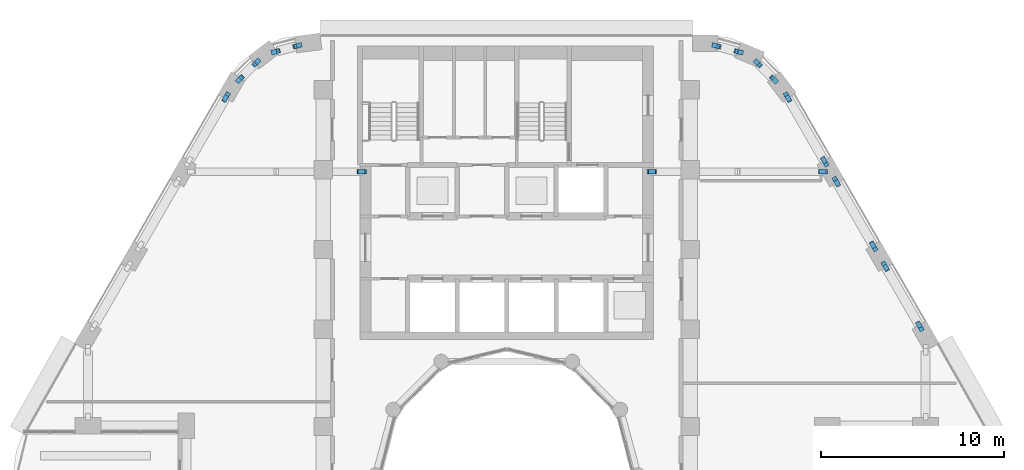
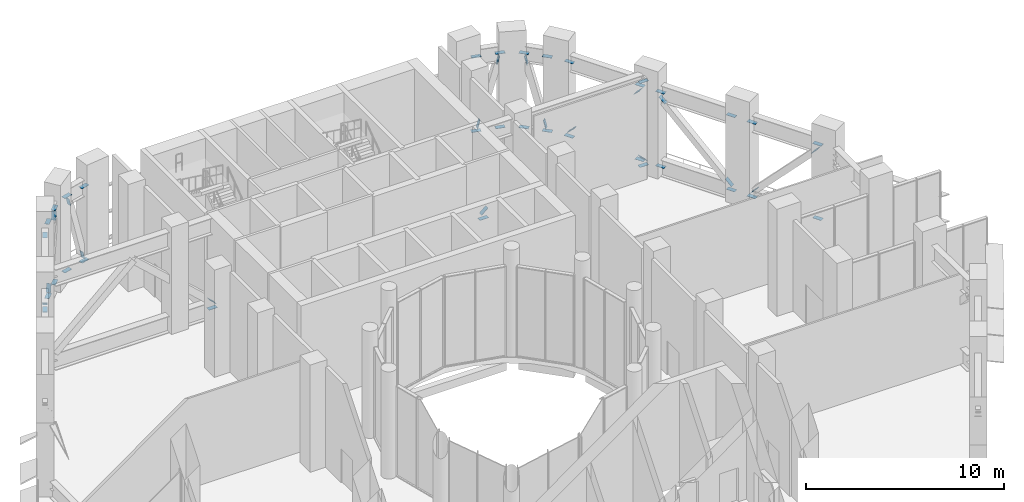
# One storey, part 15 of 21: 52 discrete accessories.
"""IFC4 building model written with IfcOpenShell, lengths in metres."""

from ifc_helpers import new_model, si_unit, direction, frame, origin, origin_2d, place, context, subcontext, project, spatial, rectangle, extrude, material, material_profile, profile_set, type_object, element, save


model = new_model("IFC4")

# Units and contexts
model_context = context("Model", 3, precision=1e-05, world=origin(), true_north=direction((0.0, 1.0)))
body_context = subcontext(model_context, "Body", "Model", "MODEL_VIEW")
ifc_project = project(units=[si_unit("LENGTHUNIT", "METRE"), si_unit("AREAUNIT", "SQUARE_METRE"), si_unit("VOLUMEUNIT", "CUBIC_METRE"), si_unit("PLANEANGLEUNIT", "RADIAN"), si_unit("MASSUNIT", "GRAM", prefix="KILO")], contexts=[model_context])

# Site, building, storey
site_placement = place(None, origin())
site = spatial("IfcSite", under=ifc_project, at=site_placement, CompositionType="ELEMENT")
building_placement = place(site_placement, origin())
building = spatial("IfcBuilding", under=site, at=building_placement, Name="Nakaniwa Court", CompositionType="ELEMENT")
storey_placement = place(building_placement, frame((0.0, 0.0, 120.60009765625)))
storey = spatial("IfcBuildingStorey", under=building, at=storey_placement, Name="S2", CompositionType="ELEMENT", Elevation=120.60009765625)

# Discrete accessories
ifc_material = material(Name="Steel Grade 350", Category="steel")
ifc_material_profile = material_profile(ifc_material, rectangle(XDim=0.25, YDim=0.02001953125, at=origin_2d()), Name="Truss end gusset plate 250x20")
ifc_profile_set = profile_set([ifc_material_profile], Name="Steel Grade 350")
discrete_accessory_type = type_object("IfcDiscreteAccessoryType", Name="Truss end gusset plate 250x20", PredefinedType="BRACKET", material=ifc_profile_set)
discrete_accessory_1_placement = place(storey_placement, frame((68.348388671875, 103.329833984375, 0.5048828125), z_axis=(0.966291673618, 0.25744980384, 0.0), x_axis=(-0.25744980384, 0.966291673618, 0.0)))
element("IfcDiscreteAccessory", 1, at=discrete_accessory_1_placement, inside=storey, type_object=discrete_accessory_type, Name="Gusset plate GU-196", PredefinedType="BRACKET", context=body_context, shape_type="SweptSolid", body=[
    extrude(rectangle(XDim=0.25, YDim=0.02001953125, at=origin_2d()), origin(), (0.0, 0.0, 1.0), 0.499755859375),
])
discrete_accessory_2_placement = place(storey_placement, frame((67.650146484375, 103.143798828125, 0.5048828125), z_axis=(-0.966324029977, -0.257328329357, 0.0), x_axis=(0.257328329357, -0.966324029977, 0.0)))
element("IfcDiscreteAccessory", 2, at=discrete_accessory_2_placement, inside=storey, type_object=discrete_accessory_type, Name="Gusset plate GU-197", PredefinedType="BRACKET", context=body_context, shape_type="SweptSolid", body=[
    extrude(rectangle(XDim=0.25, YDim=0.02001953125, at=origin_2d()), origin(), (0.0, 0.0, 1.0), 0.5),
])
discrete_accessory_3_placement = place(storey_placement, frame((68.348388671875, 103.329833984375, 5.0849609375), z_axis=(0.966291673618, 0.25744980384, 0.0), x_axis=(-0.25744980384, 0.966291673618, 0.0)))
element("IfcDiscreteAccessory", 3, at=discrete_accessory_3_placement, inside=storey, type_object=discrete_accessory_type, Name="Gusset plate GU-198", PredefinedType="BRACKET", context=body_context, shape_type="SweptSolid", body=[
    extrude(rectangle(XDim=0.25, YDim=0.02001953125, at=origin_2d()), origin(), (0.0, 0.0, 1.0), 0.499755859375),
])
for number, where, z_axis, x_axis, name in (
    (4, (67.650146484375, 103.143798828125, 5.0849609375), (-0.966324029977, -0.257328329357, 0.0), (0.257328329357, -0.966324029977, 0.0), "Gusset plate GU-199"),
    (5, (68.41748046875, 103.34814453125, 1.15478515625), (0.246601257743, 0.065923108505, -0.96687225808), (-0.25825794038, 0.9660759992, 0.0), "Gusset plate GU-200"),
    (6, (67.5810546875, 103.12548828125, 4.434814453125), (-0.246601257743, -0.065923108505, 0.96687225808), (0.25825794038, -0.9660759992, 0.0), "Gusset plate GU-201"),
    (7, (66.168212890625, 102.303955078125, 0.5048828125), (0.706129440801, 0.708082772587, 0.0), (-0.708082772587, 0.706129440801, 0.0), "Gusset plate GU-202"),
    (8, (65.634765625, 101.768798828125, 0.5048828125), (-0.70588531772, -0.70832613832, 0.0), (0.70832613832, -0.70588531772, 0.0), "Gusset plate GU-203"),
    (9, (66.168212890625, 102.303955078125, 5.0849609375), (0.706129440801, 0.708082772587, 0.0), (-0.708082772587, 0.706129440801, 0.0), "Gusset plate GU-204"),
    (10, (65.634765625, 101.768798828125, 5.0849609375), (-0.70588531772, -0.70832613832, 0.0), (0.70832613832, -0.70588531772, 0.0), "Gusset plate GU-205"),
):
    element("IfcDiscreteAccessory", number, at=place(storey_placement, frame(where, z_axis=z_axis, x_axis=x_axis)), inside=storey, type_object=discrete_accessory_type, Name=name, PredefinedType="BRACKET", context=body_context, shape_type="SweptSolid", body=[
        extrude(rectangle(XDim=0.25, YDim=0.02001953125, at=origin_2d()), origin(), (0.0, 0.0, 1.0), 0.5),
    ])
discrete_accessory_4_placement = place(storey_placement, frame((66.218017578125, 102.353759765625, 4.435302734375), z_axis=(0.186092710394, 0.186581142704, 0.96465381372), x_axis=(-0.708032918541, 0.706179429226, 0.0)))
element("IfcDiscreteAccessory", 11, at=discrete_accessory_4_placement, inside=storey, type_object=discrete_accessory_type, Name="Gusset plate GU-206", PredefinedType="BRACKET", context=body_context, shape_type="SweptSolid", body=[
    extrude(rectangle(XDim=0.25, YDim=0.02001953125, at=origin_2d()), origin(), (0.0, 0.0, 1.0), 0.499755859375),
])
for number, where, z_axis, x_axis, name in (
    (12, (65.585205078125, 101.718994140625, 1.154541015625), (-0.186075731471, -0.187052506964, -0.96456579962), (0.708955416869, -0.70525329981, 0.0), "Gusset plate GU-207"),
    (13, (64.592529296875, 100.413330078125, 0.5048828125), (0.499919672301, 0.866071776036, 0.0), (-0.866071776036, 0.499919672301, 0.0), "Gusset plate GU-208"),
    (14, (64.592529296875, 100.413330078125, 5.0849609375), (0.499919672301, 0.866071776036, 0.0), (-0.866071776036, 0.499919672301, 0.0), "Gusset plate GU-210"),
):
    element("IfcDiscreteAccessory", number, at=place(storey_placement, frame(where, z_axis=z_axis, x_axis=x_axis)), inside=storey, type_object=discrete_accessory_type, Name=name, PredefinedType="BRACKET", context=body_context, shape_type="SweptSolid", body=[
        extrude(rectangle(XDim=0.25, YDim=0.02001953125, at=origin_2d()), origin(), (0.0, 0.0, 1.0), 0.5),
    ])
discrete_accessory_5_placement = place(storey_placement, frame((64.563232421875, 100.36279296875, 1.11376953125), z_axis=(0.361235724362, 0.625328328254, -0.691717596515), x_axis=(-0.865904111586, 0.500210025428, 0.0)))
element("IfcDiscreteAccessory", 15, at=discrete_accessory_5_placement, inside=storey, type_object=discrete_accessory_type, Name="Gusset plate GU-212", PredefinedType="BRACKET", context=body_context, shape_type="SweptSolid", body=[
    extrude(rectangle(XDim=0.25, YDim=0.02001953125, at=origin_2d()), origin(), (0.0, 0.0, 1.0), 0.500244140625),
])
discrete_accessory_6_placement = place(storey_placement, frame((102.39794921875, 88.305908203125, 0.5048828125), z_axis=(0.499919672301, -0.866071776036, 0.0), x_axis=(0.866071776036, 0.499919672301, 0.0)))
element("IfcDiscreteAccessory", 16, at=discrete_accessory_6_placement, inside=storey, type_object=discrete_accessory_type, Name="Gusset plate GU-289", PredefinedType="BRACKET", context=body_context, shape_type="SweptSolid", body=[
    extrude(rectangle(XDim=0.25, YDim=0.02001953125, at=origin_2d()), origin(), (0.0, 0.0, 1.0), 0.5),
])
discrete_accessory_7_placement = place(storey_placement, frame((100.7333984375, 91.188720703125, 0.5048828125), z_axis=(-0.500131122175, 0.865949687125, 0.0), x_axis=(-0.865949687125, -0.500131122175, 0.0)))
element("IfcDiscreteAccessory", 17, at=discrete_accessory_7_placement, inside=storey, type_object=discrete_accessory_type, Name="Gusset plate GU-290", PredefinedType="BRACKET", context=body_context, shape_type="SweptSolid", body=[
    extrude(rectangle(XDim=0.25, YDim=0.02001953125, at=origin_2d()), origin(), (0.0, 0.0, 1.0), 0.499755859375),
])
discrete_accessory_8_placement = place(storey_placement, frame((102.39794921875, 88.305908203125, 5.0849609375), z_axis=(0.499919672301, -0.866071776036, 0.0), x_axis=(0.866071776036, 0.499919672301, 0.0)))
element("IfcDiscreteAccessory", 18, at=discrete_accessory_8_placement, inside=storey, type_object=discrete_accessory_type, Name="Gusset plate GU-291", PredefinedType="BRACKET", context=body_context, shape_type="SweptSolid", body=[
    extrude(rectangle(XDim=0.25, YDim=0.02001953125, at=origin_2d()), origin(), (0.0, 0.0, 1.0), 0.5),
])
discrete_accessory_9_placement = place(storey_placement, frame((100.7333984375, 91.188720703125, 5.0849609375), z_axis=(-0.500131122175, 0.865949687125, 0.0), x_axis=(-0.865949687125, -0.500131122175, 0.0)))
element("IfcDiscreteAccessory", 19, at=discrete_accessory_9_placement, inside=storey, type_object=discrete_accessory_type, Name="Gusset plate GU-292", PredefinedType="BRACKET", context=body_context, shape_type="SweptSolid", body=[
    extrude(rectangle(XDim=0.25, YDim=0.02001953125, at=origin_2d()), origin(), (0.0, 0.0, 1.0), 0.499755859375),
])
for number, where, z_axis, x_axis, name in (
    (20, (102.370849609375, 88.3525390625, 4.4716796875), (0.346606726282, -0.599971361409, 0.721039626363), (0.865892200154, 0.500230644515, 0.0), "Gusset plate GU-293"),
    (21, (100.760498046875, 91.141845703125, 1.1181640625), (-0.346606726282, 0.599971361409, -0.721039626363), (-0.865892200154, -0.500230644515, 0.0), "Gusset plate GU-294"),
    (22, (99.88330078125, 92.660888671875, 0.5048828125), (0.499919672301, -0.866071776036, 0.0), (0.866071776036, 0.499919672301, 0.0), "Gusset plate GU-295"),
):
    element("IfcDiscreteAccessory", number, at=place(storey_placement, frame(where, z_axis=z_axis, x_axis=x_axis)), inside=storey, type_object=discrete_accessory_type, Name=name, PredefinedType="BRACKET", context=body_context, shape_type="SweptSolid", body=[
        extrude(rectangle(XDim=0.25, YDim=0.02001953125, at=origin_2d()), origin(), (0.0, 0.0, 1.0), 0.5),
    ])
discrete_accessory_10_placement = place(storey_placement, frame((98.070556640625, 95.801025390625, 0.5048828125), z_axis=(-0.500131122175, 0.865949687125, 0.0), x_axis=(-0.865949687125, -0.500131122175, 0.0)))
element("IfcDiscreteAccessory", 23, at=discrete_accessory_10_placement, inside=storey, type_object=discrete_accessory_type, Name="Gusset plate GU-296", PredefinedType="BRACKET", context=body_context, shape_type="SweptSolid", body=[
    extrude(rectangle(XDim=0.25, YDim=0.02001953125, at=origin_2d()), origin(), (0.0, 0.0, 1.0), 0.499755859375),
])
discrete_accessory_11_placement = place(storey_placement, frame((99.88330078125, 92.660888671875, 5.0849609375), z_axis=(0.499919672301, -0.866071776036, 0.0), x_axis=(0.866071776036, 0.499919672301, 0.0)))
element("IfcDiscreteAccessory", 24, at=discrete_accessory_11_placement, inside=storey, type_object=discrete_accessory_type, Name="Gusset plate GU-297", PredefinedType="BRACKET", context=body_context, shape_type="SweptSolid", body=[
    extrude(rectangle(XDim=0.25, YDim=0.02001953125, at=origin_2d()), origin(), (0.0, 0.0, 1.0), 0.5),
])
discrete_accessory_12_placement = place(storey_placement, frame((98.070556640625, 95.801025390625, 5.0849609375), z_axis=(-0.500131122175, 0.865949687125, 0.0), x_axis=(-0.865949687125, -0.500131122175, 0.0)))
element("IfcDiscreteAccessory", 25, at=discrete_accessory_12_placement, inside=storey, type_object=discrete_accessory_type, Name="Gusset plate GU-298", PredefinedType="BRACKET", context=body_context, shape_type="SweptSolid", body=[
    extrude(rectangle(XDim=0.25, YDim=0.02001953125, at=origin_2d()), origin(), (0.0, 0.0, 1.0), 0.499755859375),
])
for number, where, z_axis, x_axis, name in (
    (26, (99.854248046875, 92.711181640625, 1.11376953125), (0.361346001899, -0.625030922204, -0.691928763096), (0.865734831114, 0.500502949238, 0.0), "Gusset plate GU-299"),
    (27, (98.099609375, 95.75048828125, 4.47607421875), (-0.360811155859, 0.625438552984, 0.69183952348), (-0.866196843121, -0.499702940723, 0.0), "Gusset plate GU-300"),
    (28, (97.220458984375, 97.273193359375, 0.5048828125), (0.499919672301, -0.866071776036, 0.0), (0.866071776036, 0.499919672301, 0.0), "Gusset plate GU-301"),
    (29, (95.410400390625, 100.408203125, 0.5048828125), (-0.499919672301, 0.866071776036, 0.0), (-0.866071776036, -0.499919672301, 0.0), "Gusset plate GU-302"),
    (30, (97.220458984375, 97.273193359375, 5.0849609375), (0.499919672301, -0.866071776036, 0.0), (0.866071776036, 0.499919672301, 0.0), "Gusset plate GU-303"),
    (31, (95.410400390625, 100.408203125, 5.0849609375), (-0.499919672301, 0.866071776036, 0.0), (-0.866071776036, -0.499919672301, 0.0), "Gusset plate GU-304"),
    (32, (97.19140625, 97.323486328125, 4.47607421875), (0.360909462909, -0.624632209826, 0.692516398384), (0.865858556509, 0.50028887667, 0.0), "Gusset plate GU-305"),
    (33, (95.439697265625, 100.35791015625, 1.11376953125), (-0.360909462909, 0.624632209826, -0.692516398384), (-0.865858556509, -0.50028887667, 0.0), "Gusset plate GU-306"),
    (34, (94.378173828125, 101.755615234375, 0.5048828125), (0.706129440801, -0.708082772587, 0.0), (0.708082772587, 0.706129440801, 0.0), "Gusset plate GU-307"),
    (35, (93.868408203125, 102.26708984375, 0.5048828125), (-0.706129440801, 0.708082772587, 0.0), (-0.708082772587, -0.706129440801, 0.0), "Gusset plate GU-308"),
    (36, (94.378173828125, 101.755615234375, 5.0849609375), (0.706129440801, -0.708082772587, 0.0), (0.708082772587, 0.706129440801, 0.0), "Gusset plate GU-309"),
    (37, (93.868408203125, 102.26708984375, 5.0849609375), (-0.706129440801, 0.708082772587, 0.0), (-0.708082772587, -0.706129440801, 0.0), "Gusset plate GU-310"),
    (38, (94.428955078125, 101.704833984375, 1.15478515625), (0.179721353827, -0.180698100315, -0.96697902331), (0.70902045612, 0.705187913114, 0.0), "Gusset plate GU-311"),
    (39, (93.81787109375, 102.31787109375, 4.434814453125), (-0.180193890462, 0.180682220789, 0.966894046383), (-0.708062975656, -0.706149291938, 0.0), "Gusset plate GU-312"),
    (40, (92.39990234375, 103.130615234375, 0.5048828125), (0.966202518502, -0.257784198974, 0.0), (0.257784198974, 0.966202518502, 0.0), "Gusset plate GU-313"),
    (41, (91.669677734375, 103.324951171875, 0.5048828125), (-0.966324029977, 0.257328329357, 0.0), (-0.257328329357, -0.966324029977, 0.0), "Gusset plate GU-314"),
    (42, (92.39990234375, 103.130615234375, 5.0849609375), (0.966202518502, -0.257784198974, 0.0), (0.257784198974, 0.966202518502, 0.0), "Gusset plate GU-315"),
    (43, (91.669677734375, 103.324951171875, 5.0849609375), (-0.966324029977, 0.257328329357, 0.0), (-0.257328329357, -0.966324029977, 0.0), "Gusset plate GU-316"),
):
    element("IfcDiscreteAccessory", number, at=place(storey_placement, frame(where, z_axis=z_axis, x_axis=x_axis)), inside=storey, type_object=discrete_accessory_type, Name=name, PredefinedType="BRACKET", context=body_context, shape_type="SweptSolid", body=[
        extrude(rectangle(XDim=0.25, YDim=0.02001953125, at=origin_2d()), origin(), (0.0, 0.0, 1.0), 0.5),
    ])
discrete_accessory_13_placement = place(storey_placement, frame((92.468017578125, 103.1123046875, 4.435302734375), z_axis=(0.254948194491, -0.067400097394, 0.964602843142), x_axis=(0.255587111468, 0.966786030335, 0.0)))
element("IfcDiscreteAccessory", 44, at=discrete_accessory_13_placement, inside=storey, type_object=discrete_accessory_type, Name="Gusset plate GU-317", PredefinedType="BRACKET", context=body_context, shape_type="SweptSolid", body=[
    extrude(rectangle(XDim=0.25, YDim=0.02001953125, at=origin_2d()), origin(), (0.0, 0.0, 1.0), 0.499755859375),
])
for number, where, z_axis, x_axis, name in (
    (45, (91.6015625, 103.343017578125, 1.154541015625), (-0.254939771951, 0.067886261113, -0.964570976253), (-0.257316974088, -0.966327053769, 0.0), "Gusset plate GU-318"),
    (46, (88.14990234375, 96.537109375, 0.511962890625), (-1.0, 0.0, 0.0), (0.0, -1.0, 0.0), "Gusset plate GU-319"),
    (47, (96.975830078125, 96.537109375, 0.511962890625), (1.0, 0.0, 0.0), (0.0, 1.0, 0.0), "Gusset plate GU-320"),
    (48, (96.975830078125, 96.537109375, 5.677978515625), (1.0, 0.0, 0.0), (0.0, 1.0, 0.0), "Gusset plate GU-321"),
    (49, (88.111083984375, 96.537109375, 1.124755859375), (-0.740690781639, 0.0, -0.671846088026), (0.0, -1.0, 0.0), "Gusset plate GU-322"),
):
    element("IfcDiscreteAccessory", number, at=place(storey_placement, frame(where, z_axis=z_axis, x_axis=x_axis)), inside=storey, type_object=discrete_accessory_type, Name=name, PredefinedType="BRACKET", context=body_context, shape_type="SweptSolid", body=[
        extrude(rectangle(XDim=0.25, YDim=0.02001953125, at=origin_2d()), origin(), (0.0, 0.0, 1.0), 0.5),
    ])
discrete_accessory_14_placement = place(storey_placement, frame((97.014892578125, 96.537109375, 1.124755859375), z_axis=(0.740470272515, 0.0, -0.672089112784), x_axis=(0.0, 1.0, 0.0)))
element("IfcDiscreteAccessory", 50, at=discrete_accessory_14_placement, inside=storey, type_object=discrete_accessory_type, Name="Gusset plate GU-323", PredefinedType="BRACKET", context=body_context, shape_type="SweptSolid", body=[
    extrude(rectangle(XDim=0.25, YDim=0.02001953125, at=origin_2d()), origin(), (0.0, 0.0, 1.0), 0.499755859375),
])
for number, where, z_axis, x_axis, name in (
    (51, (71.85009765625, 96.537109375, 0.511962890625), (1.0, 0.0, 0.0), (0.0, 1.0, 0.0), "Gusset plate GU-324"),
    (52, (71.888916015625, 96.537109375, 1.124755859375), (0.740690781639, 0.0, -0.671846088026), (0.0, 1.0, 0.0), "Gusset plate GU-327"),
):
    element("IfcDiscreteAccessory", number, at=place(storey_placement, frame(where, z_axis=z_axis, x_axis=x_axis)), inside=storey, type_object=discrete_accessory_type, Name=name, PredefinedType="BRACKET", context=body_context, shape_type="SweptSolid", body=[
        extrude(rectangle(XDim=0.25, YDim=0.02001953125, at=origin_2d()), origin(), (0.0, 0.0, 1.0), 0.5),
    ])

save(model, "model.ifc")
